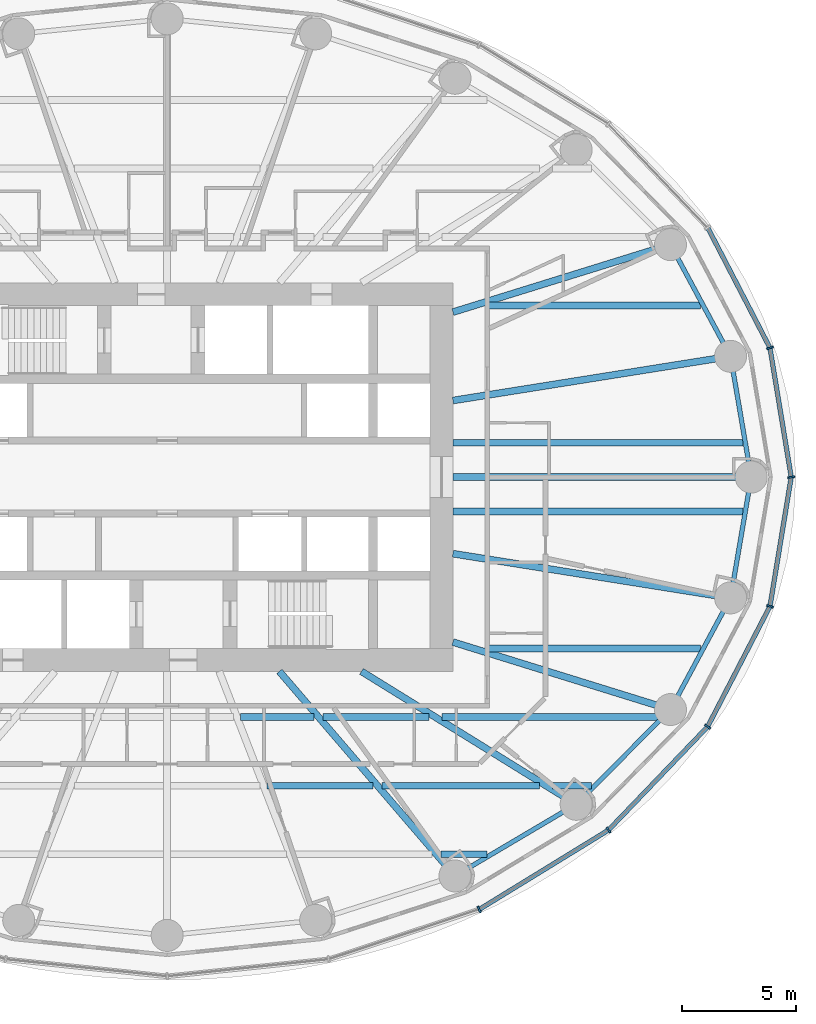
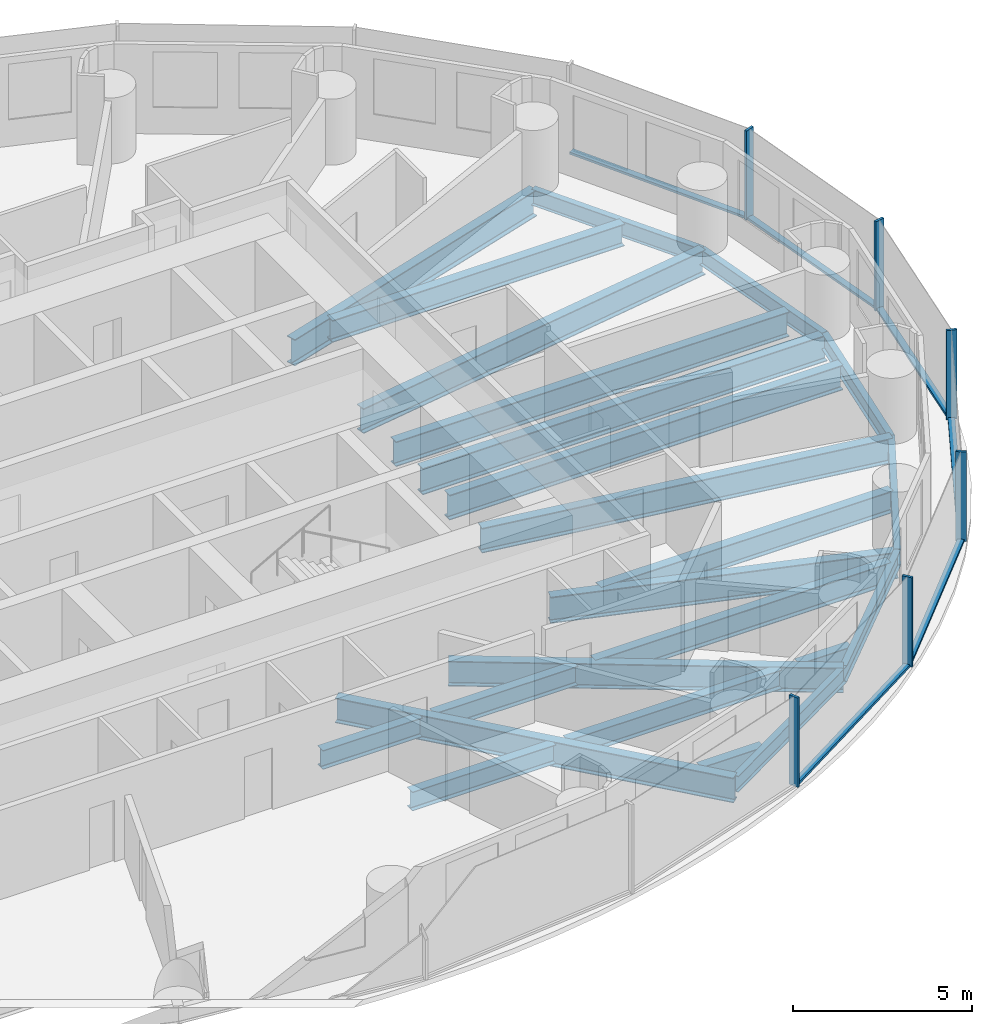
# One storey, part 3 of 14: 24 beams, 12 members, 2 elements without a shape of their own.
"""IFC4 building model written with IfcOpenShell, lengths in metres."""

from ifc_helpers import new_model, si_unit, direction, frame, origin, origin_2d, place, context, subcontext, project, spatial, rectangle, i_section, extrude, material, material_profile, profile_set, type_object, element, aggregate, save


model = new_model("IFC4")

# Units and contexts
model_context = context("Model", 3, precision=1e-05, world=origin(), true_north=direction((0.0, 1.0)))
body_context = subcontext(model_context, "Body", "Model", "MODEL_VIEW")
ifc_project = project(units=[si_unit("LENGTHUNIT", "METRE"), si_unit("AREAUNIT", "SQUARE_METRE"), si_unit("VOLUMEUNIT", "CUBIC_METRE"), si_unit("PLANEANGLEUNIT", "RADIAN"), si_unit("MASSUNIT", "GRAM", prefix="KILO")], contexts=[model_context])

# Site, building, storey
site_placement = place(None, origin())
site = spatial("IfcSite", under=ifc_project, at=site_placement, CompositionType="ELEMENT")
building_placement = place(site_placement, origin())
building = spatial("IfcBuilding", under=site, at=building_placement, Name="Hankou Lantern Tower", CompositionType="ELEMENT")
storey_placement = place(building_placement, frame((0.0, 0.0, 90.300048828125)))
storey = spatial("IfcBuildingStorey", under=building, at=storey_placement, Name="L23", CompositionType="ELEMENT", Elevation=90.300048828125)

# Beams
ifc_material_1 = material(Name="Steel Q355B", Category="steel")
ifc_material_profile_1 = material_profile(ifc_material_1, i_section(OverallWidth=0.199951171875, OverallDepth=0.550048828125, WebThickness=0.010009765625, FlangeThickness=0.01611328125, FilletRadius=0.012939453125, at=origin_2d()), Name="HN550x200x10x16")
ifc_profile_set_1 = profile_set([ifc_material_profile_1], Name="Steel Q355B")
beam_type_1 = type_object("IfcBeamType", Name="EB6 RING BEAM HN550x200x10x16", PredefinedType="SPANDREL", material=ifc_profile_set_1)
beam_1_placement = place(storey_placement, frame((25.550048828125, 0.0, -0.455078125), z_axis=(-0.168489691988, 0.985703415685, 0.0), x_axis=(-0.985703415685, -0.168489691988, 0.0)))
element("IfcBeam", 1, at=beam_1_placement, inside=storey, type_object=beam_type_1, Name="Ring beam R01-R02 L23", PredefinedType="SPANDREL", context=body_context, shape_type="SweptSolid", body=[
    extrude(i_section(OverallWidth=0.199951171875, OverallDepth=0.550048828125, WebThickness=0.010009765625, FlangeThickness=0.01611328125, FilletRadius=0.012939453125, at=origin_2d()), origin(), (0.0, 0.0, 1.0), 5.35986328125),
])
beam_2_placement = place(storey_placement, frame((24.64697265625, 5.283203125, -0.455078125), z_axis=(-0.473609096023, 0.880735161194, 0.0), x_axis=(-0.880735161194, -0.473609096023, 0.0)))
element("IfcBeam", 2, at=beam_2_placement, inside=storey, type_object=beam_type_1, Name="Ring beam R02-R03 L23", PredefinedType="SPANDREL", context=body_context, shape_type="SweptSolid", body=[
    extrude(i_section(OverallWidth=0.199951171875, OverallDepth=0.550048828125, WebThickness=0.010009765625, FlangeThickness=0.01611328125, FilletRadius=0.012939453125, at=origin_2d()), origin(), (0.0, 0.0, 1.0), 5.548828125),
])
beam_3_placement = place(storey_placement, frame((12.5908203125, -17.446533203125, -0.455078125), z_axis=(0.860881533543, 0.508805449268, 0.0), x_axis=(-0.508805449268, 0.860881533543, 0.0)))
element("IfcBeam", 3, at=beam_3_placement, inside=storey, type_object=beam_type_1, Name="Ring beam R21-R22 L23", PredefinedType="SPANDREL", context=body_context, shape_type="SweptSolid", body=[
    extrude(i_section(OverallWidth=0.199951171875, OverallDepth=0.550048828125, WebThickness=0.010009765625, FlangeThickness=0.01611328125, FilletRadius=0.012939453125, at=origin_2d()), origin(), (0.0, 0.0, 1.0), 6.15771484375),
])
beam_4_placement = place(storey_placement, frame((17.891845703125, -14.3134765625, -0.455078125), z_axis=(0.705727798394, 0.708483079949, 0.0), x_axis=(-0.708483079949, 0.705727798394, 0.0)))
element("IfcBeam", 4, at=beam_4_placement, inside=storey, type_object=beam_type_1, Name="Ring beam R22-R23 L23", PredefinedType="SPANDREL", context=body_context, shape_type="SweptSolid", body=[
    extrude(i_section(OverallWidth=0.199951171875, OverallDepth=0.550048828125, WebThickness=0.010009765625, FlangeThickness=0.01611328125, FilletRadius=0.012939453125, at=origin_2d()), origin(), (0.0, 0.0, 1.0), 5.84814453125),
])
beam_5_placement = place(storey_placement, frame((22.01904296875, -10.170166015625, -0.455078125), z_axis=(0.473609096023, 0.880735161194, 0.0), x_axis=(-0.880735161194, 0.473609096023, 0.0)))
element("IfcBeam", 5, at=beam_5_placement, inside=storey, type_object=beam_type_1, Name="Ring beam R23-R24 L23", PredefinedType="SPANDREL", context=body_context, shape_type="SweptSolid", body=[
    extrude(i_section(OverallWidth=0.199951171875, OverallDepth=0.550048828125, WebThickness=0.010009765625, FlangeThickness=0.01611328125, FilletRadius=0.012939453125, at=origin_2d()), origin(), (0.0, 0.0, 1.0), 5.548828125),
])
beam_6_placement = place(storey_placement, frame((24.64697265625, -5.283203125, -0.455078125), z_axis=(0.168489691988, 0.985703415685, 0.0), x_axis=(-0.985703415685, 0.168489691988, 0.0)))
element("IfcBeam", 6, at=beam_6_placement, inside=storey, type_object=beam_type_1, Name="Ring beam R24-R01 L23", PredefinedType="SPANDREL", context=body_context, shape_type="SweptSolid", body=[
    extrude(i_section(OverallWidth=0.199951171875, OverallDepth=0.550048828125, WebThickness=0.010009765625, FlangeThickness=0.01611328125, FilletRadius=0.012939453125, at=origin_2d()), origin(), (0.0, 0.0, 1.0), 5.35986328125),
])

# Curtain wall, members
ifc_material_2 = material(Name="Glass, dark grey tinted laminated", Category="glass")
curtain_wall_type = type_object("IfcCurtainWallType", Name="CWA OUTER SKIN LOW-RISE", PredefinedType="USERDEFINED", material=ifc_material_2)
curtain_wall_1_placement = place(storey_placement, origin())
curtain_wall_1 = element("IfcCurtainWall", 7, at=curtain_wall_1_placement, inside=storey, type_object=curtain_wall_type, Name="CWA L23 OS1", ObjectType="OUTER SKIN LOW-RISE", PredefinedType="USERDEFINED")
ifc_material_3 = material(Name="Aluminium, black anodised", Category="aluminium")
ifc_material_profile_2 = material_profile(ifc_material_3, rectangle(XDim=0.080078125, YDim=0.300048828125, at=origin_2d()), Name="MU1 80X300")
ifc_profile_set_2 = profile_set([ifc_material_profile_2], Name="Aluminium, black anodised")
member_type_1 = type_object("IfcMemberType", Name="MU1 OUTER SKIN MULLION 80X300", PredefinedType="MULLION", material=ifc_profile_set_2)
member_1_placement = place(storey_placement, frame((27.300048828125, 0.0, 0.0), z_axis=(0.0, 0.0, 1.0), x_axis=(-0.162381515188, 0.986728049427, 0.0)))
member_1 = element("IfcMember", 8, at=member_1_placement, type_object=member_type_1, Name="CWA mullion 1", PredefinedType="MULLION", context=body_context, shape_type="SweptSolid", body=[
    extrude(rectangle(XDim=0.080078125, YDim=0.300048828125, at=origin_2d()), origin(), (0.0, 0.0, 1.0), 3.050048828125),
])
member_2_placement = place(storey_placement, frame((26.369873046875, 5.652587890625, 0.0), z_axis=(0.0, 0.0, 1.0), x_axis=(-0.317595577365, 0.94822626479, 0.0)))
member_2 = element("IfcMember", 9, at=member_2_placement, type_object=member_type_1, Name="CWA mullion 2", PredefinedType="MULLION", context=body_context, shape_type="SweptSolid", body=[
    extrude(rectangle(XDim=0.080078125, YDim=0.300048828125, at=origin_2d()), origin(), (0.0, 0.0, 1.0), 3.050048828125),
])

curtain_wall_2_placement = place(storey_placement, origin())
curtain_wall_2 = element("IfcCurtainWall", 10, at=curtain_wall_2_placement, inside=storey, type_object=curtain_wall_type, Name="CWA L23 OS4", ObjectType="OUTER SKIN LOW-RISE", PredefinedType="USERDEFINED")
member_3_placement = place(storey_placement, frame((13.64990234375, -18.9140625, 0.0), z_axis=(0.0, 0.0, 1.0), x_axis=(0.907841299004, 0.419313934686, 0.0)))
member_3 = element("IfcMember", 11, at=member_3_placement, type_object=member_type_1, Name="CWA mullion 3", PredefinedType="MULLION", context=body_context, shape_type="SweptSolid", body=[
    extrude(rectangle(XDim=0.080078125, YDim=0.300048828125, at=origin_2d()), origin(), (0.0, 0.0, 1.0), 3.050048828125),
])
member_4_placement = place(storey_placement, frame((19.303955078125, -15.443115234375, 0.0), z_axis=(0.0, 0.0, 1.0), x_axis=(0.780868809444, 0.624695047553, 0.0)))
member_4 = element("IfcMember", 12, at=member_4_placement, type_object=member_type_1, Name="CWA mullion 4", PredefinedType="MULLION", context=body_context, shape_type="SweptSolid", body=[
    extrude(rectangle(XDim=0.080078125, YDim=0.300048828125, at=origin_2d()), origin(), (0.0, 0.0, 1.0), 3.050048828125),
])
member_5_placement = place(storey_placement, frame((23.642578125, -10.919921875, 0.0), z_axis=(0.0, 0.0, 1.0), x_axis=(0.585205735974, 0.810884854084, 0.0)))
member_5 = element("IfcMember", 13, at=member_5_placement, type_object=member_type_1, Name="CWA mullion 5", PredefinedType="MULLION", context=body_context, shape_type="SweptSolid", body=[
    extrude(rectangle(XDim=0.080078125, YDim=0.300048828125, at=origin_2d()), origin(), (0.0, 0.0, 1.0), 3.050048828125),
])
member_6_placement = place(storey_placement, frame((26.369873046875, -5.652587890625, 0.0), z_axis=(0.0, 0.0, 1.0), x_axis=(0.317595577365, 0.94822626479, 0.0)))
member_6 = element("IfcMember", 14, at=member_6_placement, type_object=member_type_1, Name="CWA mullion 6", PredefinedType="MULLION", context=body_context, shape_type="SweptSolid", body=[
    extrude(rectangle(XDim=0.080078125, YDim=0.300048828125, at=origin_2d()), origin(), (0.0, 0.0, 1.0), 3.050048828125),
])

# Beams
ifc_material_4 = material(Name="Steel Q355B", Category="steel")
ifc_material_profile_3 = material_profile(ifc_material_4, i_section(OverallWidth=0.300048828125, OverallDepth=0.85009765625, WebThickness=0.01611328125, FlangeThickness=0.027099609375, FilletRadius=0.01806640625, at=origin_2d()), Name="HN850x300x16x27")
ifc_profile_set_3 = profile_set([ifc_material_profile_3], Name="Steel Q355B")
beam_type_2 = type_object("IfcBeamType", Name="RB12 RADIAL BEAM HN850x300x16x27", PredefinedType="BEAM", material=ifc_profile_set_3)
beam_7_placement = place(storey_placement, frame((12.5, 3.349365234375, -0.60498046875), z_axis=(0.987563081343, 0.157223281893, 0.0), x_axis=(-0.157223281893, 0.987563081343, 0.0)))
element("IfcBeam", 15, at=beam_7_placement, inside=storey, type_object=beam_type_2, Name="Radial beam R02 L23", PredefinedType="BEAM", context=body_context, shape_type="SweptSolid", body=[
    extrude(i_section(OverallWidth=0.300048828125, OverallDepth=0.85009765625, WebThickness=0.01611328125, FlangeThickness=0.027099609375, FilletRadius=0.01806640625, at=origin_2d()), origin(), (0.0, 0.0, 1.0), 12.300048828125),
])
beam_8_placement = place(storey_placement, frame((4.907470703125, -8.5, -0.60498046875), z_axis=(0.651519061225, -0.758632264579, 0.0), x_axis=(0.758632264579, 0.651519061225, 0.0)))
element("IfcBeam", 16, at=beam_8_placement, inside=storey, type_object=beam_type_2, Name="Radial beam R21 L23", PredefinedType="BEAM", context=body_context, shape_type="SweptSolid", body=[
    extrude(i_section(OverallWidth=0.300048828125, OverallDepth=0.85009765625, WebThickness=0.01611328125, FlangeThickness=0.027099609375, FilletRadius=0.01806640625, at=origin_2d()), origin(), (0.0, 0.0, 1.0), 11.79296875),
])
beam_9_placement = place(storey_placement, frame((8.5, -8.5, -0.60498046875), z_axis=(0.850286343288, -0.526320372414, 0.0), x_axis=(0.526320372414, 0.850286343288, 0.0)))
element("IfcBeam", 17, at=beam_9_placement, inside=storey, type_object=beam_type_2, Name="Radial beam R22 L23", PredefinedType="BEAM", context=body_context, shape_type="SweptSolid", body=[
    extrude(i_section(OverallWidth=0.300048828125, OverallDepth=0.85009765625, WebThickness=0.01611328125, FlangeThickness=0.027099609375, FilletRadius=0.01806640625, at=origin_2d()), origin(), (0.0, 0.0, 1.0), 11.04541015625),
])
beam_10_placement = place(storey_placement, frame((12.5, -3.349365234375, -0.60498046875), z_axis=(0.987563081343, -0.157223281893, 0.0), x_axis=(0.157223281893, 0.987563081343, 0.0)))
element("IfcBeam", 18, at=beam_10_placement, inside=storey, type_object=beam_type_2, Name="Radial beam R24 L23", PredefinedType="BEAM", context=body_context, shape_type="SweptSolid", body=[
    extrude(i_section(OverallWidth=0.300048828125, OverallDepth=0.85009765625, WebThickness=0.01611328125, FlangeThickness=0.027099609375, FilletRadius=0.01806640625, at=origin_2d()), origin(), (0.0, 0.0, 1.0), 12.300048828125),
])
ifc_material_5 = material(Name="Steel Q355B", Category="steel")
ifc_material_profile_4 = material_profile(ifc_material_5, i_section(OverallWidth=0.300048828125, OverallDepth=0.89990234375, WebThickness=0.01611328125, FlangeThickness=0.028076171875, FilletRadius=0.01806640625, at=origin_2d()), Name="HN900x300x16x28")
ifc_profile_set_4 = profile_set([ifc_material_profile_4], Name="Steel Q355B")
beam_type_3 = type_object("IfcBeamType", Name="RB13 RADIAL BEAM HN900x300x16x28", PredefinedType="BEAM", material=ifc_profile_set_4)
beam_11_placement = place(storey_placement, frame((12.5, 0.0, -0.630126953125), z_axis=(1.0, 0.0, 0.0), x_axis=(0.0, 1.0, 0.0)))
element("IfcBeam", 19, at=beam_11_placement, inside=storey, type_object=beam_type_3, Name="Radial beam R01 L23", PredefinedType="BEAM", context=body_context, shape_type="SweptSolid", body=[
    extrude(i_section(OverallWidth=0.300048828125, OverallDepth=0.89990234375, WebThickness=0.01611328125, FlangeThickness=0.028076171875, FilletRadius=0.01806640625, at=origin_2d()), origin(), (0.0, 0.0, 1.0), 13.050048828125),
])
for number, where, z_axis, x_axis, name in (
    (20, (12.5, 7.216796875, -0.630126953125), (0.955087327755, 0.29632447817, 0.0), (-0.29632447817, 0.955087327755, 0.0), "Radial beam R03 L23"),
    (21, (12.5, -7.216796875, -0.630126953125), (0.955087327755, -0.29632447817, 0.0), (0.29632447817, 0.955087327755, 0.0), "Radial beam R23 L23"),
):
    element("IfcBeam", number, at=place(storey_placement, frame(where, z_axis=z_axis, x_axis=x_axis)), inside=storey, type_object=beam_type_3, Name=name, PredefinedType="BEAM", context=body_context, shape_type="SweptSolid", body=[
        extrude(i_section(OverallWidth=0.300048828125, OverallDepth=0.89990234375, WebThickness=0.01611328125, FlangeThickness=0.028076171875, FilletRadius=0.01806640625, at=origin_2d()), origin(), (0.0, 0.0, 1.0), 9.966552734375),
    ])
ifc_material_6 = material(Name="Steel Q355B", Category="steel")
ifc_material_profile_5 = material_profile(ifc_material_6, i_section(OverallWidth=0.300048828125, OverallDepth=0.75, WebThickness=0.012939453125, FlangeThickness=0.02392578125, FilletRadius=0.01806640625, at=origin_2d()), Name="HN750x300x13x24")
ifc_profile_set_5 = profile_set([ifc_material_profile_5], Name="Steel Q355B")
beam_type_4 = type_object("IfcBeamType", Name="SB10 SECONDARY BEAM HN750x300x13x24", PredefinedType="JOIST", material=ifc_profile_set_5)
beam_12_placement = place(storey_placement, frame((12.01611328125, -10.5, -0.554931640625), z_axis=(1.0, 0.0, 0.0), x_axis=(0.0, 1.0, 0.0)))
element("IfcBeam", 22, at=beam_12_placement, inside=storey, type_object=beam_type_4, Name="Floor joist J022 L23", PredefinedType="JOIST", context=body_context, shape_type="SweptSolid", body=[
    extrude(i_section(OverallWidth=0.300048828125, OverallDepth=0.75, WebThickness=0.012939453125, FlangeThickness=0.02392578125, FilletRadius=0.01806640625, at=origin_2d()), origin(), (0.0, 0.0, 1.0), 9.533203125),
])
for number, where, z_axis, x_axis, name in (
    (23, (13.918701171875, -7.5, -0.554931640625), (1.0, 0.0, 0.0), (0.0, 1.0, 0.0), "Floor joist J024 L23"),
    (24, (13.918701171875, 7.5, -0.554931640625), (1.0, 0.0, 0.0), (0.0, 1.0, 0.0), "Floor joist J038 L23"),
):
    element("IfcBeam", number, at=place(storey_placement, frame(where, z_axis=z_axis, x_axis=x_axis)), inside=storey, type_object=beam_type_4, Name=name, PredefinedType="JOIST", context=body_context, shape_type="SweptSolid", body=[
        extrude(i_section(OverallWidth=0.300048828125, OverallDepth=0.75, WebThickness=0.012939453125, FlangeThickness=0.02392578125, FilletRadius=0.01806640625, at=origin_2d()), origin(), (0.0, 0.0, 1.0), 9.4228515625),
    ])
ifc_material_7 = material(Name="Steel Q355B", Category="steel")
ifc_material_profile_6 = material_profile(ifc_material_7, i_section(OverallWidth=0.300048828125, OverallDepth=0.85009765625, WebThickness=0.01611328125, FlangeThickness=0.027099609375, FilletRadius=0.01806640625, at=origin_2d()), Name="HN850x300x16x27")
ifc_profile_set_6 = profile_set([ifc_material_profile_6], Name="Steel Q355B")
beam_type_5 = type_object("IfcBeamType", Name="SB12 SECONDARY BEAM HN850x300x16x27", PredefinedType="JOIST", material=ifc_profile_set_6)
for number, where, z_axis, x_axis, name in (
    (25, (12.5, -1.5, -0.60498046875), (1.0, 0.0, 0.0), (0.0, 1.0, 0.0), "Floor joist J030 L23"),
    (26, (12.5, 1.5, -0.60498046875), (1.0, 0.0, 0.0), (0.0, 1.0, 0.0), "Floor joist J032 L23"),
):
    element("IfcBeam", number, at=place(storey_placement, frame(where, z_axis=z_axis, x_axis=x_axis)), inside=storey, type_object=beam_type_5, Name=name, PredefinedType="JOIST", context=body_context, shape_type="SweptSolid", body=[
        extrude(i_section(OverallWidth=0.300048828125, OverallDepth=0.85009765625, WebThickness=0.01611328125, FlangeThickness=0.027099609375, FilletRadius=0.01806640625, at=origin_2d()), origin(), (0.0, 0.0, 1.0), 12.692138671875),
    ])
ifc_material_8 = material(Name="Steel Q355B", Category="steel")
ifc_material_profile_7 = material_profile(ifc_material_8, i_section(OverallWidth=0.300048828125, OverallDepth=0.64990234375, WebThickness=0.010986328125, FlangeThickness=0.01708984375, FilletRadius=0.01806640625, at=origin_2d()), Name="HN650x300x11x17")
ifc_profile_set_7 = profile_set([ifc_material_profile_7], Name="Steel Q355B")
beam_type_6 = type_object("IfcBeamType", Name="SB8 SECONDARY BEAM HN650x300x11x17", PredefinedType="JOIST", material=ifc_profile_set_7)
beam_13_placement = place(storey_placement, frame((11.975830078125, -16.5, -0.505126953125), z_axis=(1.0, 0.0, 0.0), x_axis=(0.0, 1.0, 0.0)))
element("IfcBeam", 27, at=beam_13_placement, inside=storey, type_object=beam_type_6, Name="Floor joist J006 L23", PredefinedType="JOIST", context=body_context, shape_type="SweptSolid", body=[
    extrude(i_section(OverallWidth=0.300048828125, OverallDepth=0.64990234375, WebThickness=0.010986328125, FlangeThickness=0.01708984375, FilletRadius=0.01806640625, at=origin_2d()), origin(), (0.0, 0.0, 1.0), 2.019775390625),
])
beam_14_placement = place(storey_placement, frame((4.37451171875, -13.5, -0.505126953125), z_axis=(1.0, 0.0, 0.0), x_axis=(0.0, 1.0, 0.0)))
element("IfcBeam", 28, at=beam_14_placement, inside=storey, type_object=beam_type_6, Name="Floor joist J012 L23", PredefinedType="JOIST", context=body_context, shape_type="SweptSolid", body=[
    extrude(i_section(OverallWidth=0.300048828125, OverallDepth=0.64990234375, WebThickness=0.010986328125, FlangeThickness=0.01708984375, FilletRadius=0.01806640625, at=origin_2d()), origin(), (0.0, 0.0, 1.0), 4.62939453125),
])
beam_15_placement = place(storey_placement, frame((9.3994140625, -13.5, -0.505126953125), z_axis=(1.0, 0.0, 0.0), x_axis=(0.0, 1.0, 0.0)))
element("IfcBeam", 29, at=beam_15_placement, inside=storey, type_object=beam_type_6, Name="Floor joist J013 L23", PredefinedType="JOIST", context=body_context, shape_type="SweptSolid", body=[
    extrude(i_section(OverallWidth=0.300048828125, OverallDepth=0.64990234375, WebThickness=0.010986328125, FlangeThickness=0.01708984375, FilletRadius=0.01806640625, at=origin_2d()), origin(), (0.0, 0.0, 1.0), 6.893310546875),
])
beam_16_placement = place(storey_placement, frame((16.86279296875, -13.5, -0.505126953125), z_axis=(1.0, 0.0, 0.0), x_axis=(0.0, 1.0, 0.0)))
element("IfcBeam", 30, at=beam_16_placement, inside=storey, type_object=beam_type_6, Name="Floor joist J014 L23", PredefinedType="JOIST", context=body_context, shape_type="SweptSolid", body=[
    extrude(i_section(OverallWidth=0.300048828125, OverallDepth=0.64990234375, WebThickness=0.010986328125, FlangeThickness=0.01708984375, FilletRadius=0.01806640625, at=origin_2d()), origin(), (0.0, 0.0, 1.0), 1.697998046875),
])
beam_17_placement = place(storey_placement, frame((3.212890625, -10.5, -0.505126953125), z_axis=(1.0, 0.0, 0.0), x_axis=(0.0, 1.0, 0.0)))
element("IfcBeam", 31, at=beam_17_placement, inside=storey, type_object=beam_type_6, Name="Floor joist J020 L23", PredefinedType="JOIST", context=body_context, shape_type="SweptSolid", body=[
    extrude(i_section(OverallWidth=0.300048828125, OverallDepth=0.64990234375, WebThickness=0.010986328125, FlangeThickness=0.01708984375, FilletRadius=0.01806640625, at=origin_2d()), origin(), (0.0, 0.0, 1.0), 3.214599609375),
])
beam_18_placement = place(storey_placement, frame((6.82275390625, -10.5, -0.505126953125), z_axis=(1.0, 0.0, 0.0), x_axis=(0.0, 1.0, 0.0)))
element("IfcBeam", 32, at=beam_18_placement, inside=storey, type_object=beam_type_6, Name="Floor joist J021 L23", PredefinedType="JOIST", context=body_context, shape_type="SweptSolid", body=[
    extrude(i_section(OverallWidth=0.300048828125, OverallDepth=0.64990234375, WebThickness=0.010986328125, FlangeThickness=0.01708984375, FilletRadius=0.01806640625, at=origin_2d()), origin(), (0.0, 0.0, 1.0), 4.623291015625),
])

# Member
ifc_material_9 = material(Name="Aluminium, black anodised", Category="aluminium")
ifc_material_profile_8 = material_profile(ifc_material_9, rectangle(XDim=0.199951171875, YDim=0.080078125, at=origin_2d()), Name="TR1 200X80")
ifc_profile_set_8 = profile_set([ifc_material_profile_8], Name="Aluminium, black anodised")
member_type_2 = type_object("IfcMemberType", Name="TR1 OUTER SKIN TRANSOM 200X80", PredefinedType="USERDEFINED", material=ifc_profile_set_8)
member_7_placement = place(storey_placement, frame((27.29345703125, 0.03955078125, 0.0400390625), z_axis=(-0.162387045529, 0.986727139307, 0.0), x_axis=(-0.986727139307, -0.162387045529, 0.0)))
member_7 = element("IfcMember", 33, at=member_7_placement, type_object=member_type_2, Name="CWA transom 1", ObjectType="TRANSOM", PredefinedType="USERDEFINED", context=body_context, shape_type="SweptSolid", body=[
    extrude(rectangle(XDim=0.199951171875, YDim=0.080078125, at=origin_2d()), origin(), (0.0, 0.0, 1.0), 5.6484375),
])

member_8_placement = place(storey_placement, frame((26.351318359375, 5.688232421875, 0.0400390625), z_axis=(-0.459786096495, 0.888029698529, 0.0), x_axis=(-0.888029698529, -0.459786096495, 0.0)))
member_8 = element("IfcMember", 34, at=member_8_placement, type_object=member_type_2, Name="CWA transom 2", ObjectType="TRANSOM", PredefinedType="USERDEFINED", context=body_context, shape_type="SweptSolid", body=[
    extrude(rectangle(XDim=0.199951171875, YDim=0.080078125, at=origin_2d()), origin(), (0.0, 0.0, 1.0), 5.8515625),
])

aggregate(curtain_wall_1, [member_1, member_2, member_7, member_8])

member_9_placement = place(storey_placement, frame((13.68408203125, -18.89306640625, 0.0400390625), z_axis=(0.85223969557, 0.523151508929, 0.0), x_axis=(-0.523151508929, 0.85223969557, 0.0)))
member_9 = element("IfcMember", 35, at=member_9_placement, type_object=member_type_2, Name="CWA transom 3", ObjectType="TRANSOM", PredefinedType="USERDEFINED", context=body_context, shape_type="SweptSolid", body=[
    extrude(rectangle(XDim=0.199951171875, YDim=0.080078125, at=origin_2d()), origin(), (0.0, 0.0, 1.0), 6.554443359375),
])

member_10_placement = place(storey_placement, frame((19.331787109375, -15.414306640625, 0.0400390625), z_axis=(0.692215537374, 0.721690827029, 0.0), x_axis=(-0.721690827029, 0.692215537374, 0.0)))
member_10 = element("IfcMember", 36, at=member_10_placement, type_object=member_type_2, Name="CWA transom 4", ObjectType="TRANSOM", PredefinedType="USERDEFINED", context=body_context, shape_type="SweptSolid", body=[
    extrude(rectangle(XDim=0.199951171875, YDim=0.080078125, at=origin_2d()), origin(), (0.0, 0.0, 1.0), 6.187255859375),
])

member_11_placement = place(storey_placement, frame((23.660888671875, -10.884521484375, 0.0400390625), z_axis=(0.459786096495, 0.888029698529, 0.0), x_axis=(-0.888029698529, 0.459786096495, 0.0)))
member_11 = element("IfcMember", 37, at=member_11_placement, type_object=member_type_2, Name="CWA transom 5", ObjectType="TRANSOM", PredefinedType="USERDEFINED", context=body_context, shape_type="SweptSolid", body=[
    extrude(rectangle(XDim=0.199951171875, YDim=0.080078125, at=origin_2d()), origin(), (0.0, 0.0, 1.0), 5.8515625),
])

member_12_placement = place(storey_placement, frame((26.376220703125, -5.613037109375, 0.0400390625), z_axis=(0.162387045529, 0.986727139307, 0.0), x_axis=(-0.986727139307, 0.162387045529, 0.0)))
member_12 = element("IfcMember", 38, at=member_12_placement, type_object=member_type_2, Name="CWA transom 6", ObjectType="TRANSOM", PredefinedType="USERDEFINED", context=body_context, shape_type="SweptSolid", body=[
    extrude(rectangle(XDim=0.199951171875, YDim=0.080078125, at=origin_2d()), origin(), (0.0, 0.0, 1.0), 5.6484375),
])

aggregate(curtain_wall_2, [member_3, member_4, member_5, member_6, member_9, member_10, member_11, member_12])

save(model, "model.ifc")
